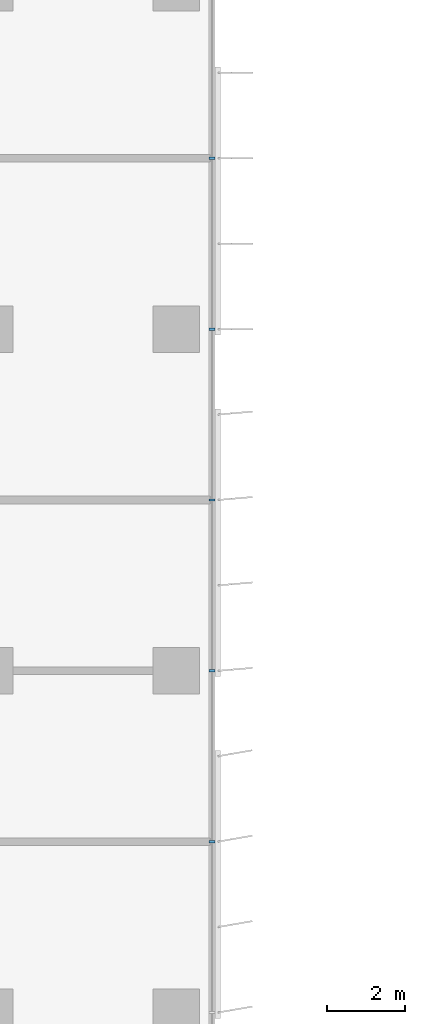
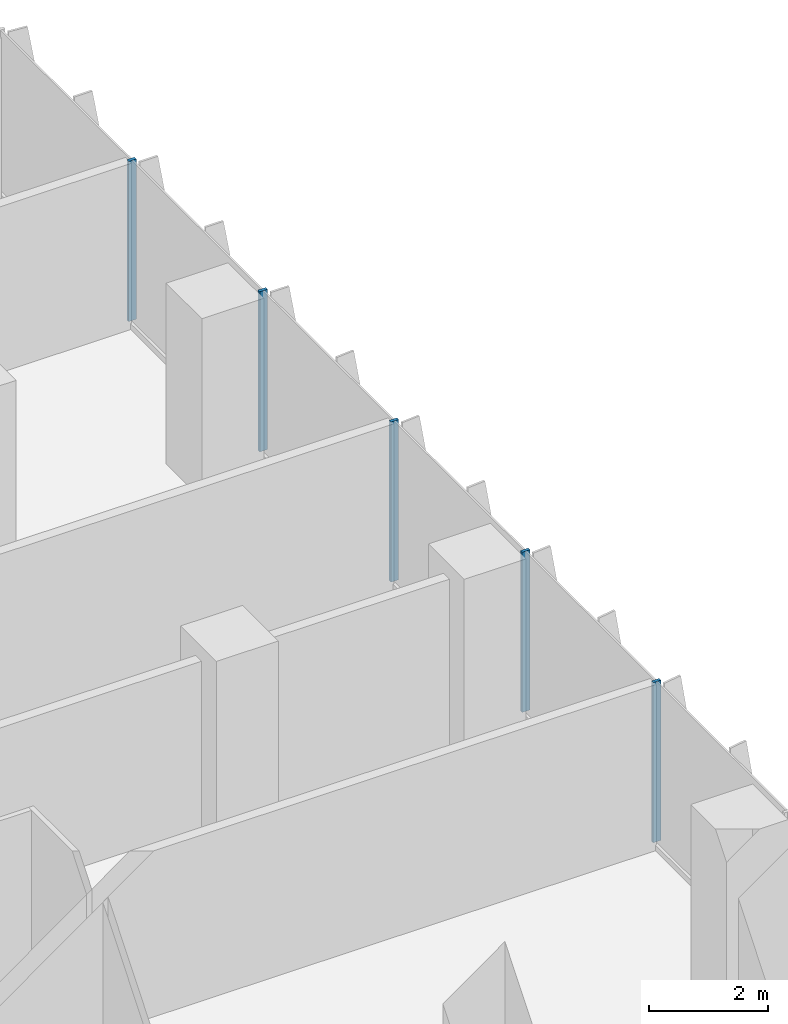
# One storey, part 5 of 23: 5 members, 1 element without a shape of its own.
"""IFC4 building model written with IfcOpenShell, lengths in metres."""

from ifc_helpers import new_model, si_unit, direction, frame, origin, origin_2d, place, context, subcontext, project, spatial, rectangle, extrude, source, transform, mapped, material, material_profile, profile_set, type_object, element, aggregate, save


model = new_model("IFC4")

# Units and contexts
model_context = context("Model", 3, precision=1e-05, world=origin(), true_north=direction((0.0, 1.0)))
body_context = subcontext(model_context, "Body", "Model", "MODEL_VIEW")
ifc_project = project(units=[si_unit("LENGTHUNIT", "METRE"), si_unit("AREAUNIT", "SQUARE_METRE"), si_unit("VOLUMEUNIT", "CUBIC_METRE"), si_unit("PLANEANGLEUNIT", "RADIAN"), si_unit("MASSUNIT", "GRAM", prefix="KILO")], contexts=[model_context])

# Site, building, storey
site_placement = place(None, origin())
site = spatial("IfcSite", under=ifc_project, at=site_placement, CompositionType="ELEMENT")
building_placement = place(site_placement, origin())
building = spatial("IfcBuilding", under=site, at=building_placement, Name="Kemantara Hotel Tower", CompositionType="ELEMENT")
storey_placement = place(building_placement, frame((0.0, 0.0, 138.300048828125)))
storey = spatial("IfcBuildingStorey", under=building, at=storey_placement, Name="L33", CompositionType="ELEMENT", Elevation=138.300048828125)

# Curtain wall, members
ifc_material_1 = material(Name="Low-E tinted double insulated glass 36 mm", Category="glass")
curtain_wall_type = type_object("IfcCurtainWallType", Name="TOWER CURTAIN WALL, FRONT FACES", PredefinedType="USERDEFINED", material=ifc_material_1)
curtain_wall_placement = place(storey_placement, origin())
curtain_wall = element("IfcCurtainWall", 1, at=curtain_wall_placement, inside=storey, type_object=curtain_wall_type, Name="CW4 L33 T2-R14-1", ObjectType="TOWER CURTAIN WALL, FRONT FACES", PredefinedType="USERDEFINED")
ifc_material_2 = material(Name="Aluminium 6063-T6 bronze anodised", Category="aluminium")
ifc_material_profile = material_profile(ifc_material_2, rectangle(XDim=0.14990234375, YDim=0.06005859375, at=origin_2d()), Name="TOWER CURTAIN WALL, FRONT FACES MULLION")
ifc_profile_set = profile_set([ifc_material_profile], Name="Aluminium 6063-T6 bronze anodised")
member_type = type_object("IfcMemberType", Name="TOWER CURTAIN WALL, FRONT FACES MULLION", PredefinedType="MULLION", material=ifc_profile_set)
shared_shape = source(origin(), body_context, "Body", "SweptSolid", [
    extrude(rectangle(XDim=0.14990234375, YDim=0.06005859375, at=origin_2d()), origin(), (0.0, 0.0, 1.0), 3.280029296875),
])
member_1_placement = place(storey_placement, frame((26.72509765625, 31.800048828125, 0.119873046875), z_axis=(0.0, 0.0, 1.0), x_axis=(-1.0, 0.0, 0.0)))
member_1 = element("IfcMember", 2, at=member_1_placement, type_object=member_type, Name="CW4 mullion T2-R14-1.4", PredefinedType="MULLION", context=body_context, shape_type="MappedRepresentation", body=[
    mapped(shared_shape, transform((0.0, 0.0, 0.0))),
])
member_2_placement = place(storey_placement, frame((26.72509765625, 36.199951171875, 0.119873046875), z_axis=(0.0, 0.0, 1.0), x_axis=(-1.0, 0.0, 0.0)))
member_2 = element("IfcMember", 3, at=member_2_placement, type_object=member_type, Name="CW4 mullion T2-R14-1.5", PredefinedType="MULLION", context=body_context, shape_type="MappedRepresentation", body=[
    mapped(shared_shape, transform((0.0, 0.0, 0.0))),
])
member_3_placement = place(storey_placement, frame((26.72509765625, 40.60009765625, 0.119873046875), z_axis=(0.0, 0.0, 1.0), x_axis=(-1.0, 0.0, 0.0)))
member_3 = element("IfcMember", 4, at=member_3_placement, type_object=member_type, Name="CW4 mullion T2-R14-1.6", PredefinedType="MULLION", context=body_context, shape_type="MappedRepresentation", body=[
    mapped(shared_shape, transform((0.0, 0.0, 0.0))),
])
member_4_placement = place(storey_placement, frame((26.72509765625, 45.0, 0.119873046875), z_axis=(0.0, 0.0, 1.0), x_axis=(-1.0, 0.0, 0.0)))
member_4 = element("IfcMember", 5, at=member_4_placement, type_object=member_type, Name="CW4 mullion T2-R14-1.7", PredefinedType="MULLION", context=body_context, shape_type="MappedRepresentation", body=[
    mapped(shared_shape, transform((0.0, 0.0, 0.0))),
])
member_5_placement = place(storey_placement, frame((26.72509765625, 49.39990234375, 0.119873046875), z_axis=(0.0, 0.0, 1.0), x_axis=(-1.0, 0.0, 0.0)))
member_5 = element("IfcMember", 6, at=member_5_placement, type_object=member_type, Name="CW4 mullion T2-R14-1.8", PredefinedType="MULLION", context=body_context, shape_type="MappedRepresentation", body=[
    mapped(shared_shape, transform((0.0, 0.0, 0.0))),
])
aggregate(curtain_wall, [member_1, member_2, member_3, member_4, member_5])

save(model, "model.ifc")
